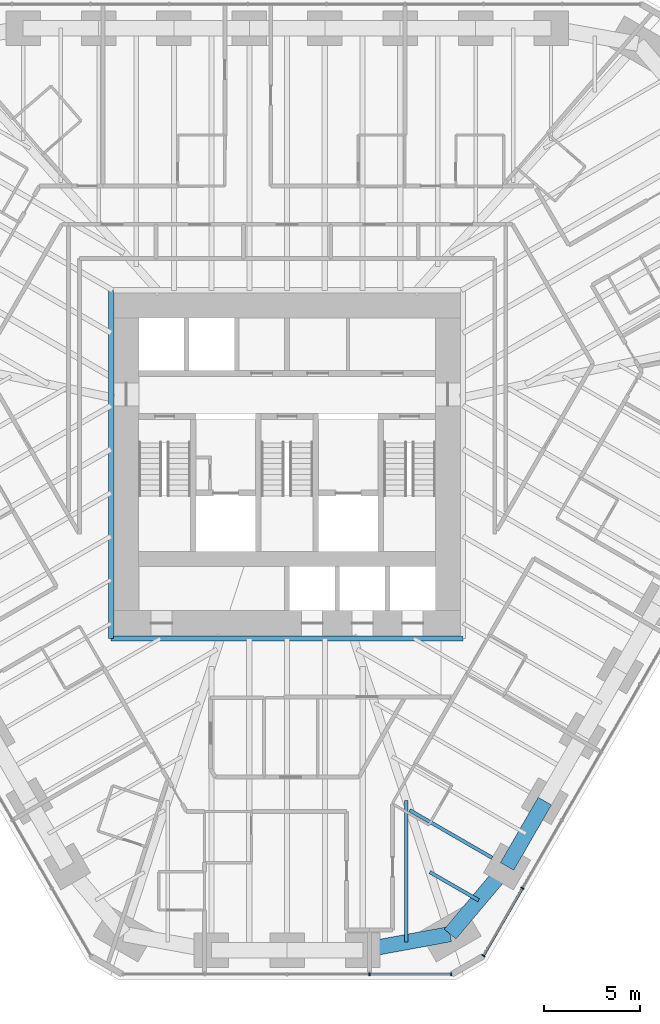
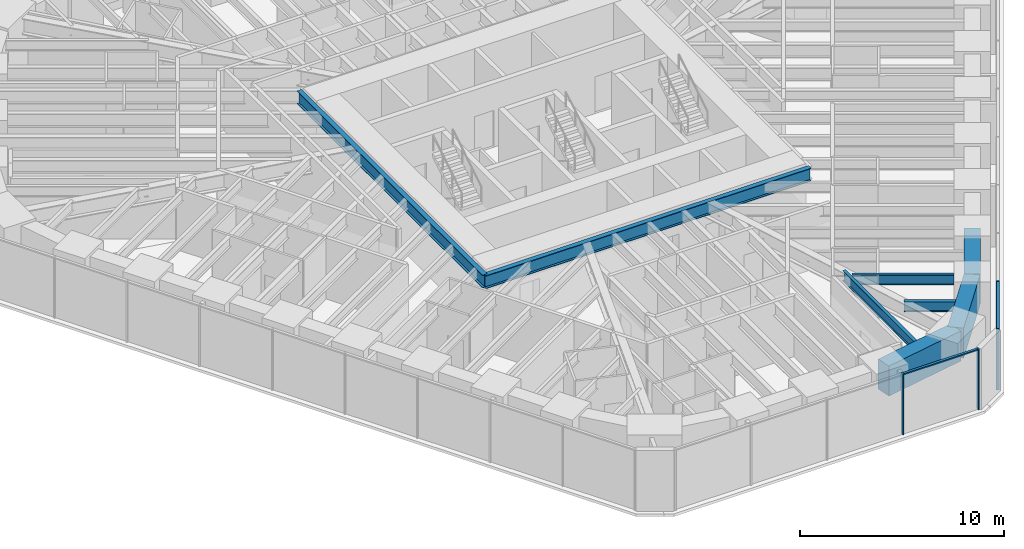
# One storey, part 4 of 17: 8 beams, 6 members, 2 elements without a shape of their own.
"""IFC4 building model written with IfcOpenShell, lengths in metres."""

from ifc_helpers import new_model, si_unit, direction, frame, origin, origin_2d, place, context, subcontext, project, spatial, rectangle, i_section, extrude, material, material_profile, profile_set, type_object, element, aggregate, save


model = new_model("IFC4")

# Units and contexts
model_context = context("Model", 3, precision=1e-05, world=origin(), true_north=direction((0.0, 1.0)))
body_context = subcontext(model_context, "Body", "Model", "MODEL_VIEW")
ifc_project = project(units=[si_unit("LENGTHUNIT", "METRE"), si_unit("AREAUNIT", "SQUARE_METRE"), si_unit("VOLUMEUNIT", "CUBIC_METRE"), si_unit("PLANEANGLEUNIT", "RADIAN"), si_unit("MASSUNIT", "GRAM", prefix="KILO")], contexts=[model_context])

# Site, building, storey
site_placement = place(None, origin())
site = spatial("IfcSite", under=ifc_project, at=site_placement, CompositionType="ELEMENT")
building_placement = place(site_placement, origin())
building = spatial("IfcBuilding", under=site, at=building_placement, Name="Sandreach Pilgrim Tower", CompositionType="ELEMENT")
storey_placement = place(building_placement, frame((0.0, 0.0, 119.60009765625)))
storey = spatial("IfcBuildingStorey", under=building, at=storey_placement, Name="L29", CompositionType="ELEMENT", Elevation=119.60009765625)

# Curtain wall, members
ifc_material_1 = material(Name="Aluminium framed curtain wall", Category="aluminium")
curtain_wall_type = type_object("IfcCurtainWallType", Name="Hotel tower curtain wall", PredefinedType="NOTDEFINED", material=ifc_material_1)
curtain_wall_1_placement = place(storey_placement, origin())
curtain_wall_1 = element("IfcCurtainWall", 1, at=curtain_wall_1_placement, inside=storey, type_object=curtain_wall_type, Name="CW-2 L29 SE", PredefinedType="NOTDEFINED")
ifc_material_2 = material(Name="Aluminium extrusion", Category="aluminium")
ifc_material_profile_1 = material_profile(ifc_material_2, rectangle(XDim=0.06494140625, YDim=0.179931640625, at=origin_2d()), Name="CW-2M 65X180")
ifc_profile_set_1 = profile_set([ifc_material_profile_1], Name="Aluminium extrusion")
member_type_1 = type_object("IfcMemberType", Name="CW-2 mullion", PredefinedType="MULLION", material=ifc_profile_set_1)
member_1_placement = place(storey_placement, frame((12.29296875, -23.695556640625, 0.0), z_axis=(0.0, 0.0, 1.0), x_axis=(-0.5, -0.866025403784, 0.0)))
member_1 = element("IfcMember", 2, at=member_1_placement, type_object=member_type_1, Name="CW-2 mullion 9", PredefinedType="MULLION", context=body_context, shape_type="SweptSolid", body=[
    extrude(rectangle(XDim=0.06494140625, YDim=0.179931640625, at=origin_2d()), origin(), (0.0, 0.0, 1.0), 3.639892578125),
])
member_2_placement = place(storey_placement, frame((10.255859375, -27.22412109375, 0.0), z_axis=(0.0, 0.0, 1.0), x_axis=(-0.5, -0.866025403784, 0.0)))
member_2 = element("IfcMember", 3, at=member_2_placement, type_object=member_type_1, Name="CW-2 mullion 10", PredefinedType="MULLION", context=body_context, shape_type="SweptSolid", body=[
    extrude(rectangle(XDim=0.06494140625, YDim=0.179931640625, at=origin_2d()), origin(), (0.0, 0.0, 1.0), 3.639892578125),
])

curtain_wall_2_placement = place(storey_placement, origin())
curtain_wall_2 = element("IfcCurtainWall", 4, at=curtain_wall_2_placement, inside=storey, type_object=curtain_wall_type, Name="CW-2 L29 S", PredefinedType="NOTDEFINED")
member_3_placement = place(storey_placement, frame((8.578857421875, -28.192138671875, 0.0), z_axis=(0.0, 0.0, 1.0), x_axis=(-1.0, 0.0, 0.0)))
member_3 = element("IfcMember", 5, at=member_3_placement, type_object=member_type_1, Name="CW-2 mullion 1", PredefinedType="MULLION", context=body_context, shape_type="SweptSolid", body=[
    extrude(rectangle(XDim=0.06494140625, YDim=0.179931640625, at=origin_2d()), origin(), (0.0, 0.0, 1.0), 3.639892578125),
])
member_4_placement = place(storey_placement, frame((4.3056640625, -28.192138671875, 0.0), z_axis=(0.0, 0.0, 1.0), x_axis=(-1.0, 0.0, 0.0)))
member_4 = element("IfcMember", 6, at=member_4_placement, type_object=member_type_1, Name="CW-2 mullion 2", PredefinedType="MULLION", context=body_context, shape_type="SweptSolid", body=[
    extrude(rectangle(XDim=0.06494140625, YDim=0.179931640625, at=origin_2d()), origin(), (0.0, 0.0, 1.0), 3.639892578125),
])

# Member
ifc_material_3 = material(Name="Aluminium extrusion", Category="aluminium")
ifc_material_profile_2 = material_profile(ifc_material_3, rectangle(XDim=0.139892578125, YDim=0.070068359375, at=origin_2d()), Name="CW-2T 140X70")
ifc_profile_set_2 = profile_set([ifc_material_profile_2], Name="Aluminium extrusion")
member_type_2 = type_object("IfcMemberType", Name="CW-2 transom", PredefinedType="USERDEFINED", material=ifc_profile_set_2)
member_5_placement = place(storey_placement, frame((12.27685546875, -23.7236328125, 3.60498046875), z_axis=(-0.500015851672, -0.866016251624, 0.0), x_axis=(0.866016251624, -0.500015851672, 0.0)))
member_5 = element("IfcMember", 7, at=member_5_placement, type_object=member_type_2, Name="CW-2 head transom 9", ObjectType="TRANSOM", PredefinedType="USERDEFINED", context=body_context, shape_type="SweptSolid", body=[
    extrude(rectangle(XDim=0.139892578125, YDim=0.070068359375, at=origin_2d()), origin(), (0.0, 0.0, 1.0), 4.009521484375),
])

aggregate(curtain_wall_1, [member_1, member_2, member_5])

member_6_placement = place(storey_placement, frame((8.54638671875, -28.192138671875, 3.60498046875), z_axis=(-1.0, 0.0, 0.0), x_axis=(0.0, -1.0, 0.0)))
member_6 = element("IfcMember", 8, at=member_6_placement, type_object=member_type_2, Name="CW-2 head transom 1", ObjectType="TRANSOM", PredefinedType="USERDEFINED", context=body_context, shape_type="SweptSolid", body=[
    extrude(rectangle(XDim=0.139892578125, YDim=0.070068359375, at=origin_2d()), origin(), (0.0, 0.0, 1.0), 4.208251953125),
])

aggregate(curtain_wall_2, [member_3, member_4, member_6])

# Beams
ifc_material_4 = material(Name="Steel ASTM A992 Grade 50", Category="steel")
ifc_material_profile_3 = material_profile(ifc_material_4, i_section(OverallWidth=0.2666015625, OverallDepth=0.77978515625, WebThickness=0.0166015625, FlangeThickness=0.030029296875, at=origin_2d()), Name="W30X148")
ifc_profile_set_3 = profile_set([ifc_material_profile_3], Name="Steel ASTM A992 Grade 50")
beam_type_1 = type_object("IfcBeamType", Name="Core edge beam W30X148", PredefinedType="BEAM", material=ifc_profile_set_3)
beam_1_placement = place(storey_placement, frame((9.193359375, -10.643310546875, 3.25), z_axis=(-1.0, 0.0, 0.0), x_axis=(0.0, -1.0, 0.0)))
element("IfcBeam", 9, at=beam_1_placement, inside=storey, type_object=beam_type_1, Name="BM L29 CES", PredefinedType="BEAM", context=body_context, shape_type="SweptSolid", body=[
    extrude(i_section(OverallWidth=0.2666015625, OverallDepth=0.77978515625, WebThickness=0.0166015625, FlangeThickness=0.030029296875, at=origin_2d()), origin(), (0.0, 0.0, 1.0), 18.38671875),
])
beam_2_placement = place(storey_placement, frame((-9.193359375, -10.643310546875, 3.25), z_axis=(0.0, 1.0, 0.0), x_axis=(-1.0, 0.0, 0.0)))
element("IfcBeam", 10, at=beam_2_placement, inside=storey, type_object=beam_type_1, Name="BM L29 CEW", PredefinedType="BEAM", context=body_context, shape_type="SweptSolid", body=[
    extrude(i_section(OverallWidth=0.2666015625, OverallDepth=0.77978515625, WebThickness=0.0166015625, FlangeThickness=0.030029296875, at=origin_2d()), origin(), (0.0, 0.0, 1.0), 18.186767578125),
])
ifc_material_5 = material(Name="Steel ASTM A992 Grade 50", Category="steel")
ifc_material_profile_4 = material_profile(ifc_material_5, i_section(OverallWidth=0.1787109375, OverallDepth=0.60205078125, WebThickness=0.010986328125, FlangeThickness=0.014892578125, at=origin_2d()), Name="W24X62")
ifc_profile_set_4 = profile_set([ifc_material_profile_4], Name="Steel ASTM A992 Grade 50")
beam_type_2 = type_object("IfcBeamType", Name="Floor beam W24X62", PredefinedType="BEAM", material=ifc_profile_set_4)
beam_3_placement = place(storey_placement, frame((10.714599609375, -22.109130859375, 3.3388671875), z_axis=(-0.866024645457, 0.500001313459, 0.0), x_axis=(-0.500001313459, -0.866024645457, 0.0)))
element("IfcBeam", 11, at=beam_3_placement, inside=storey, type_object=beam_type_2, Name="BM L29 F21", PredefinedType="BEAM", context=body_context, shape_type="SweptSolid", body=[
    extrude(i_section(OverallWidth=0.1787109375, OverallDepth=0.60205078125, WebThickness=0.010986328125, FlangeThickness=0.014892578125, at=origin_2d()), origin(), (0.0, 0.0, 1.0), 4.9765625),
])
beam_4_placement = place(storey_placement, frame((10.006103515625, -24.326904296875, 3.3388671875), z_axis=(-0.866015396618, 0.500017332519, 0.0), x_axis=(-0.500017332519, -0.866015396618, 0.0)))
element("IfcBeam", 12, at=beam_4_placement, inside=storey, type_object=beam_type_2, Name="BM L29 FM21", PredefinedType="BEAM", context=body_context, shape_type="SweptSolid", body=[
    extrude(i_section(OverallWidth=0.1787109375, OverallDepth=0.60205078125, WebThickness=0.010986328125, FlangeThickness=0.014892578125, at=origin_2d()), origin(), (0.0, 0.0, 1.0), 2.9384765625),
])
beam_5_placement = place(storey_placement, frame((6.236572265625, -26.51318359375, 3.3388671875), z_axis=(0.0, 1.0, 0.0), x_axis=(-1.0, 0.0, 0.0)))
element("IfcBeam", 13, at=beam_5_placement, inside=storey, type_object=beam_type_2, Name="BM L29 FM22", PredefinedType="BEAM", context=body_context, shape_type="SweptSolid", body=[
    extrude(i_section(OverallWidth=0.1787109375, OverallDepth=0.60205078125, WebThickness=0.010986328125, FlangeThickness=0.014892578125, at=origin_2d()), origin(), (0.0, 0.0, 1.0), 7.40771484375),
])
ifc_material_6 = material(Name="Concrete 10000 psi", Category="concrete")
ifc_material_profile_5 = material_profile(ifc_material_6, rectangle(XDim=0.800048828125, YDim=1.800048828125, at=origin_2d()), Name="RC800X1800")
ifc_profile_set_5 = profile_set([ifc_material_profile_5], Name="Concrete 10000 psi")
beam_type_3 = type_object("IfcBeamType", Name="Spandrel beam RC800X1800", PredefinedType="SPANDREL", material=ifc_profile_set_5)
beam_6_placement = place(storey_placement, frame((13.464111328125, -19.147216796875, 2.739990234375), z_axis=(-0.49999779889, -0.866026674592, 0.0), x_axis=(0.866026674592, -0.49999779889, 0.0)))
element("IfcBeam", 14, at=beam_6_placement, inside=storey, type_object=beam_type_3, Name="BM L29 SP20", PredefinedType="SPANDREL", context=body_context, shape_type="SweptSolid", body=[
    extrude(rectangle(XDim=0.800048828125, YDim=1.800048828125, at=origin_2d()), origin(), (0.0, 0.0, 1.0), 3.93994140625),
])
beam_7_placement = place(storey_placement, frame((11.494140625, -22.559326171875, 2.739990234375), z_axis=(-0.644078801547, -0.764959147535, 0.0), x_axis=(0.764959147535, -0.644078801547, 0.0)))
element("IfcBeam", 15, at=beam_7_placement, inside=storey, type_object=beam_type_3, Name="BM L29 SP21", PredefinedType="SPANDREL", context=body_context, shape_type="SweptSolid", body=[
    extrude(rectangle(XDim=0.800048828125, YDim=1.800048828125, at=origin_2d()), origin(), (0.0, 0.0, 1.0), 4.62109375),
])
beam_8_placement = place(storey_placement, frame((8.517822265625, -26.09423828125, 2.739990234375), z_axis=(-0.983551746136, -0.180626583516, 0.0), x_axis=(0.180626583516, -0.983551746136, 0.0)))
element("IfcBeam", 16, at=beam_8_placement, inside=storey, type_object=beam_type_3, Name="BM L29 SP22", PredefinedType="SPANDREL", context=body_context, shape_type="SweptSolid", body=[
    extrude(rectangle(XDim=0.800048828125, YDim=1.800048828125, at=origin_2d()), origin(), (0.0, 0.0, 1.0), 4.638916015625),
])

save(model, "model.ifc")
